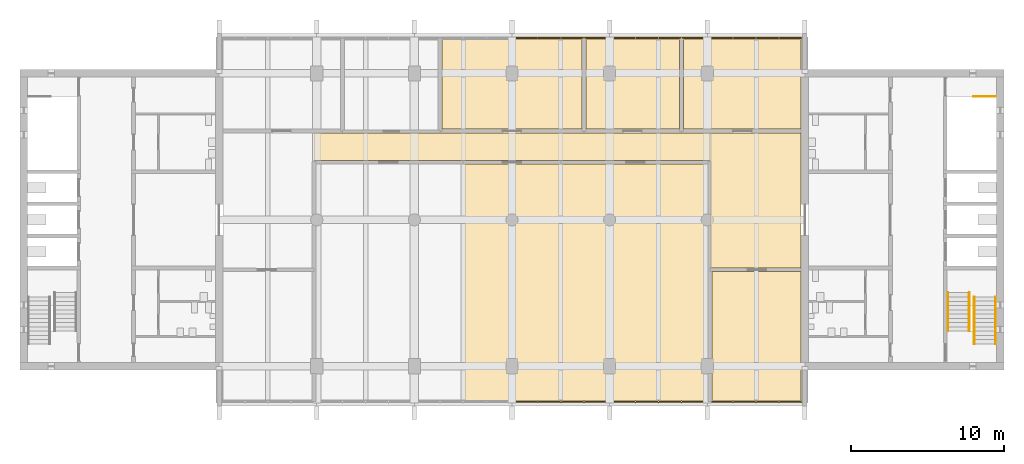
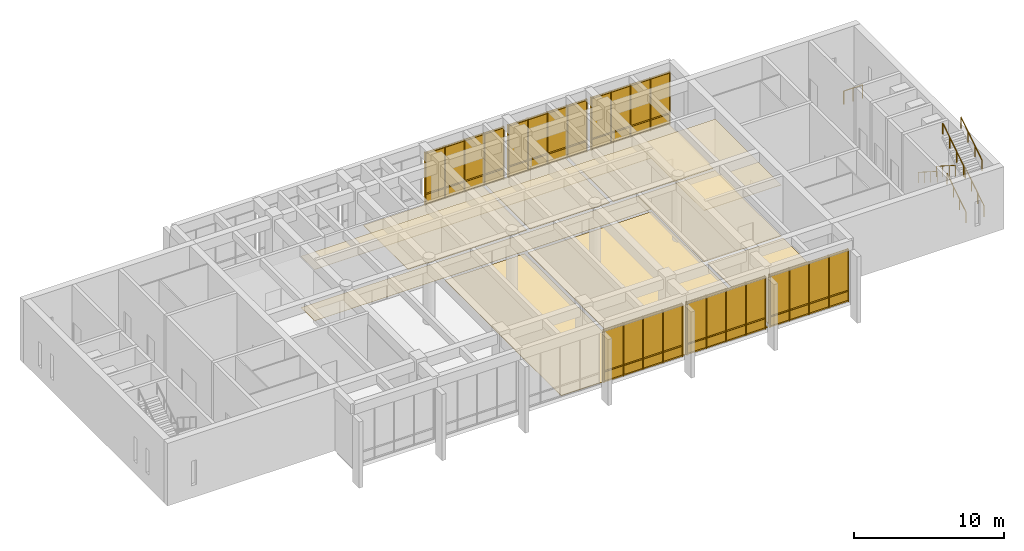
# One storey, part 9 of 10: 10 coverings, 7 railings, 6 shading devices.
"""IFC4 building model written with IfcOpenShell, lengths in metres."""

from ifc_helpers import new_model, si_unit, direction, frame, origin, origin_2d, place, context, subcontext, project, spatial, polyline, rectangle, circle, outline, extrude, material, layer, layer_set, type_object, element, save


model = new_model("IFC4")

# Units and contexts
model_context = context("Model", 3, precision=1e-05, world=origin(), true_north=direction((0.0, 1.0)))
body_context = subcontext(model_context, "Body", "Model", "MODEL_VIEW")
ifc_project = project(units=[si_unit("LENGTHUNIT", "METRE"), si_unit("AREAUNIT", "SQUARE_METRE"), si_unit("VOLUMEUNIT", "CUBIC_METRE"), si_unit("PLANEANGLEUNIT", "RADIAN"), si_unit("MASSUNIT", "GRAM", prefix="KILO")], contexts=[model_context])

# Site, building, storey
site_placement = place(None, origin())
site = spatial("IfcSite", under=ifc_project, at=site_placement, CompositionType="ELEMENT")
building_placement = place(site_placement, origin())
building = spatial("IfcBuilding", under=site, at=building_placement, Name="Fogon Plaza Fire Station and Headquarters Tower", CompositionType="ELEMENT")
storey_placement = place(building_placement, frame((0.0, 0.0, 64.199951171875)))
storey = spatial("IfcBuildingStorey", under=building, at=storey_placement, Name="L16", CompositionType="ELEMENT", Elevation=64.199951171875)

# Shading devices
ifc_material_1 = material(Name="Aluminium louvre", Category="aluminium")
ifc_layer_1 = layer(ifc_material_1, 0.10009765625)
ifc_layer_set_1 = layer_set([ifc_layer_1], Name="Aluminium louvre")
shading_device_type = type_object("IfcShadingDeviceType", Name="Louvred Screen Run 6100x4300", PredefinedType="JALOUSIE", material=ifc_layer_set_1)
shading_device_1_placement = place(storey_placement, frame((44.949951171875, 31.280029296875, 0.0), z_axis=(0.0, 0.0, 1.0), x_axis=(1.0, 0.0, 0.0)))
element("IfcShadingDevice", 1, at=shading_device_1_placement, inside=storey, type_object=shading_device_type, Name="LS-6100x4300 S4 L16", PredefinedType="JALOUSIE", context=body_context, shape_type="SweptSolid", body=[
    extrude(rectangle(XDim=0.06005859375, YDim=0.159912109375, at=origin_2d()), frame((0.030029296875, 0.0, 0.0), z_axis=(0.0, 0.0, 1.0), x_axis=(1.0, 0.0, 0.0)), (0.0, 0.0, 1.0), 4.300048828125),
    extrude(rectangle(XDim=0.06005859375, YDim=0.159912109375, at=origin_2d()), frame((1.5400390625, 0.0, 0.0), z_axis=(0.0, 0.0, 1.0), x_axis=(1.0, 0.0, 0.0)), (0.0, 0.0, 1.0), 4.300048828125),
    extrude(rectangle(XDim=0.06005859375, YDim=0.159912109375, at=origin_2d()), frame((3.050048828125, 0.0, 0.0), z_axis=(0.0, 0.0, 1.0), x_axis=(1.0, 0.0, 0.0)), (0.0, 0.0, 1.0), 4.300048828125),
    extrude(rectangle(XDim=0.06005859375, YDim=0.159912109375, at=origin_2d()), frame((4.56005859375, 0.0, 0.0), z_axis=(0.0, 0.0, 1.0), x_axis=(1.0, 0.0, 0.0)), (0.0, 0.0, 1.0), 4.300048828125),
    extrude(rectangle(XDim=0.06005859375, YDim=0.159912109375, at=origin_2d()), frame((6.070068359375, 0.0, 0.0), z_axis=(0.0, 0.0, 1.0), x_axis=(1.0, 0.0, 0.0)), (0.0, 0.0, 1.0), 4.300048828125),
    extrude(rectangle(XDim=0.1201171875, YDim=0.06005859375, at=origin_2d()), frame((0.0, 0.0, 0.06005859375), z_axis=(1.0, 0.0, 0.0), x_axis=(0.0, 0.0, 1.0)), (0.0, 0.0, 1.0), 6.10009765625),
    extrude(rectangle(XDim=0.1201171875, YDim=0.06005859375, at=origin_2d()), frame((0.0, 0.0, 0.900146484375), z_axis=(1.0, 0.0, 0.0), x_axis=(0.0, 0.0, 1.0)), (0.0, 0.0, 1.0), 6.10009765625),
    extrude(rectangle(XDim=0.1201171875, YDim=0.06005859375, at=origin_2d()), frame((0.0, 0.0, 4.239990234375), z_axis=(1.0, 0.0, 0.0), x_axis=(0.0, 0.0, 1.0)), (0.0, 0.0, 1.0), 6.10009765625),
    extrude(rectangle(XDim=1.449951171875, YDim=0.10009765625, at=origin_2d()), frame((0.78515625, 0.0, 0.1201171875), z_axis=(0.0, 0.0, 1.0), x_axis=(1.0, 0.0, 0.0)), (0.0, 0.0, 1.0), 0.719970703125),
    extrude(rectangle(XDim=1.449951171875, YDim=0.10009765625, at=origin_2d()), frame((0.78515625, 0.0, 0.9599609375), z_axis=(0.0, 0.0, 1.0), x_axis=(1.0, 0.0, 0.0)), (0.0, 0.0, 1.0), 3.219970703125),
    extrude(rectangle(XDim=1.449951171875, YDim=0.10009765625, at=origin_2d()), frame((2.294921875, 0.0, 0.1201171875), z_axis=(0.0, 0.0, 1.0), x_axis=(1.0, 0.0, 0.0)), (0.0, 0.0, 1.0), 0.719970703125),
    extrude(rectangle(XDim=1.449951171875, YDim=0.10009765625, at=origin_2d()), frame((2.294921875, 0.0, 0.9599609375), z_axis=(0.0, 0.0, 1.0), x_axis=(1.0, 0.0, 0.0)), (0.0, 0.0, 1.0), 3.219970703125),
    extrude(rectangle(XDim=1.449951171875, YDim=0.10009765625, at=origin_2d()), frame((3.80517578125, 0.0, 0.1201171875), z_axis=(0.0, 0.0, 1.0), x_axis=(1.0, 0.0, 0.0)), (0.0, 0.0, 1.0), 0.719970703125),
    extrude(rectangle(XDim=1.449951171875, YDim=0.10009765625, at=origin_2d()), frame((3.80517578125, 0.0, 0.9599609375), z_axis=(0.0, 0.0, 1.0), x_axis=(1.0, 0.0, 0.0)), (0.0, 0.0, 1.0), 3.219970703125),
    extrude(rectangle(XDim=1.449951171875, YDim=0.10009765625, at=origin_2d()), frame((5.31494140625, 0.0, 0.1201171875), z_axis=(0.0, 0.0, 1.0), x_axis=(1.0, 0.0, 0.0)), (0.0, 0.0, 1.0), 0.719970703125),
    extrude(rectangle(XDim=1.449951171875, YDim=0.10009765625, at=origin_2d()), frame((5.31494140625, 0.0, 0.9599609375), z_axis=(0.0, 0.0, 1.0), x_axis=(1.0, 0.0, 0.0)), (0.0, 0.0, 1.0), 3.219970703125),
])
shading_device_2_placement = place(storey_placement, frame((51.35009765625, 31.280029296875, 0.0), z_axis=(0.0, 0.0, 1.0), x_axis=(1.0, 0.0, 0.0)))
element("IfcShadingDevice", 2, at=shading_device_2_placement, inside=storey, type_object=shading_device_type, Name="LS-6100x4300 S5 L16", PredefinedType="JALOUSIE", context=body_context, shape_type="SweptSolid", body=[
    extrude(rectangle(XDim=0.06005859375, YDim=0.159912109375, at=origin_2d()), frame((0.030029296875, 0.0, 0.0), z_axis=(0.0, 0.0, 1.0), x_axis=(1.0, 0.0, 0.0)), (0.0, 0.0, 1.0), 4.300048828125),
    extrude(rectangle(XDim=0.06005859375, YDim=0.159912109375, at=origin_2d()), frame((1.5400390625, 0.0, 0.0), z_axis=(0.0, 0.0, 1.0), x_axis=(1.0, 0.0, 0.0)), (0.0, 0.0, 1.0), 4.300048828125),
    extrude(rectangle(XDim=0.06005859375, YDim=0.159912109375, at=origin_2d()), frame((3.050048828125, 0.0, 0.0), z_axis=(0.0, 0.0, 1.0), x_axis=(1.0, 0.0, 0.0)), (0.0, 0.0, 1.0), 4.300048828125),
    extrude(rectangle(XDim=0.06005859375, YDim=0.159912109375, at=origin_2d()), frame((4.56005859375, 0.0, 0.0), z_axis=(0.0, 0.0, 1.0), x_axis=(1.0, 0.0, 0.0)), (0.0, 0.0, 1.0), 4.300048828125),
    extrude(rectangle(XDim=0.06005859375, YDim=0.159912109375, at=origin_2d()), frame((6.070068359375, 0.0, 0.0), z_axis=(0.0, 0.0, 1.0), x_axis=(1.0, 0.0, 0.0)), (0.0, 0.0, 1.0), 4.300048828125),
    extrude(rectangle(XDim=0.1201171875, YDim=0.06005859375, at=origin_2d()), frame((0.0, 0.0, 0.06005859375), z_axis=(1.0, 0.0, 0.0), x_axis=(0.0, 0.0, 1.0)), (0.0, 0.0, 1.0), 6.099853515625),
    extrude(rectangle(XDim=0.1201171875, YDim=0.06005859375, at=origin_2d()), frame((0.0, 0.0, 0.900146484375), z_axis=(1.0, 0.0, 0.0), x_axis=(0.0, 0.0, 1.0)), (0.0, 0.0, 1.0), 6.099853515625),
    extrude(rectangle(XDim=0.1201171875, YDim=0.06005859375, at=origin_2d()), frame((0.0, 0.0, 4.239990234375), z_axis=(1.0, 0.0, 0.0), x_axis=(0.0, 0.0, 1.0)), (0.0, 0.0, 1.0), 6.099853515625),
    extrude(rectangle(XDim=1.449951171875, YDim=0.10009765625, at=origin_2d()), frame((0.78515625, 0.0, 0.1201171875), z_axis=(0.0, 0.0, 1.0), x_axis=(1.0, 0.0, 0.0)), (0.0, 0.0, 1.0), 0.719970703125),
    extrude(rectangle(XDim=1.449951171875, YDim=0.10009765625, at=origin_2d()), frame((0.78515625, 0.0, 0.9599609375), z_axis=(0.0, 0.0, 1.0), x_axis=(1.0, 0.0, 0.0)), (0.0, 0.0, 1.0), 3.219970703125),
    extrude(rectangle(XDim=1.449951171875, YDim=0.10009765625, at=origin_2d()), frame((2.294921875, 0.0, 0.1201171875), z_axis=(0.0, 0.0, 1.0), x_axis=(1.0, 0.0, 0.0)), (0.0, 0.0, 1.0), 0.719970703125),
    extrude(rectangle(XDim=1.449951171875, YDim=0.10009765625, at=origin_2d()), frame((2.294921875, 0.0, 0.9599609375), z_axis=(0.0, 0.0, 1.0), x_axis=(1.0, 0.0, 0.0)), (0.0, 0.0, 1.0), 3.219970703125),
    extrude(rectangle(XDim=1.449951171875, YDim=0.10009765625, at=origin_2d()), frame((3.80517578125, 0.0, 0.1201171875), z_axis=(0.0, 0.0, 1.0), x_axis=(1.0, 0.0, 0.0)), (0.0, 0.0, 1.0), 0.719970703125),
    extrude(rectangle(XDim=1.449951171875, YDim=0.10009765625, at=origin_2d()), frame((3.80517578125, 0.0, 0.9599609375), z_axis=(0.0, 0.0, 1.0), x_axis=(1.0, 0.0, 0.0)), (0.0, 0.0, 1.0), 3.219970703125),
    extrude(rectangle(XDim=1.449951171875, YDim=0.10009765625, at=origin_2d()), frame((5.31494140625, 0.0, 0.1201171875), z_axis=(0.0, 0.0, 1.0), x_axis=(1.0, 0.0, 0.0)), (0.0, 0.0, 1.0), 0.719970703125),
    extrude(rectangle(XDim=1.449951171875, YDim=0.10009765625, at=origin_2d()), frame((5.31494140625, 0.0, 0.9599609375), z_axis=(0.0, 0.0, 1.0), x_axis=(1.0, 0.0, 0.0)), (0.0, 0.0, 1.0), 3.219970703125),
])
shading_device_3_placement = place(storey_placement, frame((57.75, 31.280029296875, 0.0), z_axis=(0.0, 0.0, 1.0), x_axis=(1.0, 0.0, 0.0)))
element("IfcShadingDevice", 3, at=shading_device_3_placement, inside=storey, type_object=shading_device_type, Name="LS-6100x4300 S6 L16", PredefinedType="JALOUSIE", context=body_context, shape_type="SweptSolid", body=[
    extrude(rectangle(XDim=0.06005859375, YDim=0.159912109375, at=origin_2d()), frame((0.030029296875, 0.0, 0.0), z_axis=(0.0, 0.0, 1.0), x_axis=(1.0, 0.0, 0.0)), (0.0, 0.0, 1.0), 4.300048828125),
    extrude(rectangle(XDim=0.06005859375, YDim=0.159912109375, at=origin_2d()), frame((1.5400390625, 0.0, 0.0), z_axis=(0.0, 0.0, 1.0), x_axis=(1.0, 0.0, 0.0)), (0.0, 0.0, 1.0), 4.300048828125),
    extrude(rectangle(XDim=0.06005859375, YDim=0.159912109375, at=origin_2d()), frame((3.050048828125, 0.0, 0.0), z_axis=(0.0, 0.0, 1.0), x_axis=(1.0, 0.0, 0.0)), (0.0, 0.0, 1.0), 4.300048828125),
    extrude(rectangle(XDim=0.06005859375, YDim=0.159912109375, at=origin_2d()), frame((4.56005859375, 0.0, 0.0), z_axis=(0.0, 0.0, 1.0), x_axis=(1.0, 0.0, 0.0)), (0.0, 0.0, 1.0), 4.300048828125),
    extrude(rectangle(XDim=0.06005859375, YDim=0.159912109375, at=origin_2d()), frame((6.070068359375, 0.0, 0.0), z_axis=(0.0, 0.0, 1.0), x_axis=(1.0, 0.0, 0.0)), (0.0, 0.0, 1.0), 4.300048828125),
    extrude(rectangle(XDim=0.1201171875, YDim=0.06005859375, at=origin_2d()), frame((0.0, 0.0, 0.06005859375), z_axis=(1.0, 0.0, 0.0), x_axis=(0.0, 0.0, 1.0)), (0.0, 0.0, 1.0), 6.10009765625),
    extrude(rectangle(XDim=0.1201171875, YDim=0.06005859375, at=origin_2d()), frame((0.0, 0.0, 0.900146484375), z_axis=(1.0, 0.0, 0.0), x_axis=(0.0, 0.0, 1.0)), (0.0, 0.0, 1.0), 6.10009765625),
    extrude(rectangle(XDim=0.1201171875, YDim=0.06005859375, at=origin_2d()), frame((0.0, 0.0, 4.239990234375), z_axis=(1.0, 0.0, 0.0), x_axis=(0.0, 0.0, 1.0)), (0.0, 0.0, 1.0), 6.10009765625),
    extrude(rectangle(XDim=1.449951171875, YDim=0.10009765625, at=origin_2d()), frame((0.78515625, 0.0, 0.1201171875), z_axis=(0.0, 0.0, 1.0), x_axis=(1.0, 0.0, 0.0)), (0.0, 0.0, 1.0), 0.719970703125),
    extrude(rectangle(XDim=1.449951171875, YDim=0.10009765625, at=origin_2d()), frame((0.78515625, 0.0, 0.9599609375), z_axis=(0.0, 0.0, 1.0), x_axis=(1.0, 0.0, 0.0)), (0.0, 0.0, 1.0), 3.219970703125),
    extrude(rectangle(XDim=1.449951171875, YDim=0.10009765625, at=origin_2d()), frame((2.294921875, 0.0, 0.1201171875), z_axis=(0.0, 0.0, 1.0), x_axis=(1.0, 0.0, 0.0)), (0.0, 0.0, 1.0), 0.719970703125),
    extrude(rectangle(XDim=1.449951171875, YDim=0.10009765625, at=origin_2d()), frame((2.294921875, 0.0, 0.9599609375), z_axis=(0.0, 0.0, 1.0), x_axis=(1.0, 0.0, 0.0)), (0.0, 0.0, 1.0), 3.219970703125),
    extrude(rectangle(XDim=1.449951171875, YDim=0.10009765625, at=origin_2d()), frame((3.80517578125, 0.0, 0.1201171875), z_axis=(0.0, 0.0, 1.0), x_axis=(1.0, 0.0, 0.0)), (0.0, 0.0, 1.0), 0.719970703125),
    extrude(rectangle(XDim=1.449951171875, YDim=0.10009765625, at=origin_2d()), frame((3.80517578125, 0.0, 0.9599609375), z_axis=(0.0, 0.0, 1.0), x_axis=(1.0, 0.0, 0.0)), (0.0, 0.0, 1.0), 3.219970703125),
    extrude(rectangle(XDim=1.449951171875, YDim=0.10009765625, at=origin_2d()), frame((5.31494140625, 0.0, 0.1201171875), z_axis=(0.0, 0.0, 1.0), x_axis=(1.0, 0.0, 0.0)), (0.0, 0.0, 1.0), 0.719970703125),
    extrude(rectangle(XDim=1.449951171875, YDim=0.10009765625, at=origin_2d()), frame((5.31494140625, 0.0, 0.9599609375), z_axis=(0.0, 0.0, 1.0), x_axis=(1.0, 0.0, 0.0)), (0.0, 0.0, 1.0), 3.219970703125),
])
shading_device_4_placement = place(storey_placement, frame((44.949951171875, 55.1201171875, 0.0), z_axis=(0.0, 0.0, 1.0), x_axis=(1.0, 0.0, 0.0)))
element("IfcShadingDevice", 4, at=shading_device_4_placement, inside=storey, type_object=shading_device_type, Name="LS-6100x4300 N4 L16", PredefinedType="JALOUSIE", context=body_context, shape_type="SweptSolid", body=[
    extrude(rectangle(XDim=0.06005859375, YDim=0.159912109375, at=origin_2d()), frame((0.030029296875, 0.0, 0.0), z_axis=(0.0, 0.0, 1.0), x_axis=(1.0, 0.0, 0.0)), (0.0, 0.0, 1.0), 4.300048828125),
    extrude(rectangle(XDim=0.06005859375, YDim=0.159912109375, at=origin_2d()), frame((1.5400390625, 0.0, 0.0), z_axis=(0.0, 0.0, 1.0), x_axis=(1.0, 0.0, 0.0)), (0.0, 0.0, 1.0), 4.300048828125),
    extrude(rectangle(XDim=0.06005859375, YDim=0.159912109375, at=origin_2d()), frame((3.050048828125, 0.0, 0.0), z_axis=(0.0, 0.0, 1.0), x_axis=(1.0, 0.0, 0.0)), (0.0, 0.0, 1.0), 4.300048828125),
    extrude(rectangle(XDim=0.06005859375, YDim=0.159912109375, at=origin_2d()), frame((4.56005859375, 0.0, 0.0), z_axis=(0.0, 0.0, 1.0), x_axis=(1.0, 0.0, 0.0)), (0.0, 0.0, 1.0), 4.300048828125),
    extrude(rectangle(XDim=0.06005859375, YDim=0.159912109375, at=origin_2d()), frame((6.070068359375, 0.0, 0.0), z_axis=(0.0, 0.0, 1.0), x_axis=(1.0, 0.0, 0.0)), (0.0, 0.0, 1.0), 4.300048828125),
    extrude(rectangle(XDim=0.1201171875, YDim=0.06005859375, at=origin_2d()), frame((0.0, 0.0, 0.06005859375), z_axis=(1.0, 0.0, 0.0), x_axis=(0.0, 0.0, 1.0)), (0.0, 0.0, 1.0), 6.10009765625),
    extrude(rectangle(XDim=0.1201171875, YDim=0.06005859375, at=origin_2d()), frame((0.0, 0.0, 0.900146484375), z_axis=(1.0, 0.0, 0.0), x_axis=(0.0, 0.0, 1.0)), (0.0, 0.0, 1.0), 6.10009765625),
    extrude(rectangle(XDim=0.1201171875, YDim=0.06005859375, at=origin_2d()), frame((0.0, 0.0, 4.239990234375), z_axis=(1.0, 0.0, 0.0), x_axis=(0.0, 0.0, 1.0)), (0.0, 0.0, 1.0), 6.10009765625),
    extrude(rectangle(XDim=1.449951171875, YDim=0.10009765625, at=origin_2d()), frame((0.78515625, 0.0, 0.1201171875), z_axis=(0.0, 0.0, 1.0), x_axis=(1.0, 0.0, 0.0)), (0.0, 0.0, 1.0), 0.719970703125),
    extrude(rectangle(XDim=1.449951171875, YDim=0.10009765625, at=origin_2d()), frame((0.78515625, 0.0, 0.9599609375), z_axis=(0.0, 0.0, 1.0), x_axis=(1.0, 0.0, 0.0)), (0.0, 0.0, 1.0), 3.219970703125),
    extrude(rectangle(XDim=1.449951171875, YDim=0.10009765625, at=origin_2d()), frame((2.294921875, 0.0, 0.1201171875), z_axis=(0.0, 0.0, 1.0), x_axis=(1.0, 0.0, 0.0)), (0.0, 0.0, 1.0), 0.719970703125),
    extrude(rectangle(XDim=1.449951171875, YDim=0.10009765625, at=origin_2d()), frame((2.294921875, 0.0, 0.9599609375), z_axis=(0.0, 0.0, 1.0), x_axis=(1.0, 0.0, 0.0)), (0.0, 0.0, 1.0), 3.219970703125),
    extrude(rectangle(XDim=1.449951171875, YDim=0.10009765625, at=origin_2d()), frame((3.80517578125, 0.0, 0.1201171875), z_axis=(0.0, 0.0, 1.0), x_axis=(1.0, 0.0, 0.0)), (0.0, 0.0, 1.0), 0.719970703125),
    extrude(rectangle(XDim=1.449951171875, YDim=0.10009765625, at=origin_2d()), frame((3.80517578125, 0.0, 0.9599609375), z_axis=(0.0, 0.0, 1.0), x_axis=(1.0, 0.0, 0.0)), (0.0, 0.0, 1.0), 3.219970703125),
    extrude(rectangle(XDim=1.449951171875, YDim=0.10009765625, at=origin_2d()), frame((5.31494140625, 0.0, 0.1201171875), z_axis=(0.0, 0.0, 1.0), x_axis=(1.0, 0.0, 0.0)), (0.0, 0.0, 1.0), 0.719970703125),
    extrude(rectangle(XDim=1.449951171875, YDim=0.10009765625, at=origin_2d()), frame((5.31494140625, 0.0, 0.9599609375), z_axis=(0.0, 0.0, 1.0), x_axis=(1.0, 0.0, 0.0)), (0.0, 0.0, 1.0), 3.219970703125),
])
shading_device_5_placement = place(storey_placement, frame((51.35009765625, 55.1201171875, 0.0), z_axis=(0.0, 0.0, 1.0), x_axis=(1.0, 0.0, 0.0)))
element("IfcShadingDevice", 5, at=shading_device_5_placement, inside=storey, type_object=shading_device_type, Name="LS-6100x4300 N5 L16", PredefinedType="JALOUSIE", context=body_context, shape_type="SweptSolid", body=[
    extrude(rectangle(XDim=0.06005859375, YDim=0.159912109375, at=origin_2d()), frame((0.030029296875, 0.0, 0.0), z_axis=(0.0, 0.0, 1.0), x_axis=(1.0, 0.0, 0.0)), (0.0, 0.0, 1.0), 4.300048828125),
    extrude(rectangle(XDim=0.06005859375, YDim=0.159912109375, at=origin_2d()), frame((1.5400390625, 0.0, 0.0), z_axis=(0.0, 0.0, 1.0), x_axis=(1.0, 0.0, 0.0)), (0.0, 0.0, 1.0), 4.300048828125),
    extrude(rectangle(XDim=0.06005859375, YDim=0.159912109375, at=origin_2d()), frame((3.050048828125, 0.0, 0.0), z_axis=(0.0, 0.0, 1.0), x_axis=(1.0, 0.0, 0.0)), (0.0, 0.0, 1.0), 4.300048828125),
    extrude(rectangle(XDim=0.06005859375, YDim=0.159912109375, at=origin_2d()), frame((4.56005859375, 0.0, 0.0), z_axis=(0.0, 0.0, 1.0), x_axis=(1.0, 0.0, 0.0)), (0.0, 0.0, 1.0), 4.300048828125),
    extrude(rectangle(XDim=0.06005859375, YDim=0.159912109375, at=origin_2d()), frame((6.070068359375, 0.0, 0.0), z_axis=(0.0, 0.0, 1.0), x_axis=(1.0, 0.0, 0.0)), (0.0, 0.0, 1.0), 4.300048828125),
    extrude(rectangle(XDim=0.1201171875, YDim=0.06005859375, at=origin_2d()), frame((0.0, 0.0, 0.06005859375), z_axis=(1.0, 0.0, 0.0), x_axis=(0.0, 0.0, 1.0)), (0.0, 0.0, 1.0), 6.099853515625),
    extrude(rectangle(XDim=0.1201171875, YDim=0.06005859375, at=origin_2d()), frame((0.0, 0.0, 0.900146484375), z_axis=(1.0, 0.0, 0.0), x_axis=(0.0, 0.0, 1.0)), (0.0, 0.0, 1.0), 6.099853515625),
    extrude(rectangle(XDim=0.1201171875, YDim=0.06005859375, at=origin_2d()), frame((0.0, 0.0, 4.239990234375), z_axis=(1.0, 0.0, 0.0), x_axis=(0.0, 0.0, 1.0)), (0.0, 0.0, 1.0), 6.099853515625),
    extrude(rectangle(XDim=1.449951171875, YDim=0.10009765625, at=origin_2d()), frame((0.78515625, 0.0, 0.1201171875), z_axis=(0.0, 0.0, 1.0), x_axis=(1.0, 0.0, 0.0)), (0.0, 0.0, 1.0), 0.719970703125),
    extrude(rectangle(XDim=1.449951171875, YDim=0.10009765625, at=origin_2d()), frame((0.78515625, 0.0, 0.9599609375), z_axis=(0.0, 0.0, 1.0), x_axis=(1.0, 0.0, 0.0)), (0.0, 0.0, 1.0), 3.219970703125),
    extrude(rectangle(XDim=1.449951171875, YDim=0.10009765625, at=origin_2d()), frame((2.294921875, 0.0, 0.1201171875), z_axis=(0.0, 0.0, 1.0), x_axis=(1.0, 0.0, 0.0)), (0.0, 0.0, 1.0), 0.719970703125),
    extrude(rectangle(XDim=1.449951171875, YDim=0.10009765625, at=origin_2d()), frame((2.294921875, 0.0, 0.9599609375), z_axis=(0.0, 0.0, 1.0), x_axis=(1.0, 0.0, 0.0)), (0.0, 0.0, 1.0), 3.219970703125),
    extrude(rectangle(XDim=1.449951171875, YDim=0.10009765625, at=origin_2d()), frame((3.80517578125, 0.0, 0.1201171875), z_axis=(0.0, 0.0, 1.0), x_axis=(1.0, 0.0, 0.0)), (0.0, 0.0, 1.0), 0.719970703125),
    extrude(rectangle(XDim=1.449951171875, YDim=0.10009765625, at=origin_2d()), frame((3.80517578125, 0.0, 0.9599609375), z_axis=(0.0, 0.0, 1.0), x_axis=(1.0, 0.0, 0.0)), (0.0, 0.0, 1.0), 3.219970703125),
    extrude(rectangle(XDim=1.449951171875, YDim=0.10009765625, at=origin_2d()), frame((5.31494140625, 0.0, 0.1201171875), z_axis=(0.0, 0.0, 1.0), x_axis=(1.0, 0.0, 0.0)), (0.0, 0.0, 1.0), 0.719970703125),
    extrude(rectangle(XDim=1.449951171875, YDim=0.10009765625, at=origin_2d()), frame((5.31494140625, 0.0, 0.9599609375), z_axis=(0.0, 0.0, 1.0), x_axis=(1.0, 0.0, 0.0)), (0.0, 0.0, 1.0), 3.219970703125),
])
shading_device_6_placement = place(storey_placement, frame((57.75, 55.1201171875, 0.0), z_axis=(0.0, 0.0, 1.0), x_axis=(1.0, 0.0, 0.0)))
element("IfcShadingDevice", 6, at=shading_device_6_placement, inside=storey, type_object=shading_device_type, Name="LS-6100x4300 N6 L16", PredefinedType="JALOUSIE", context=body_context, shape_type="SweptSolid", body=[
    extrude(rectangle(XDim=0.06005859375, YDim=0.159912109375, at=origin_2d()), frame((0.030029296875, 0.0, 0.0), z_axis=(0.0, 0.0, 1.0), x_axis=(1.0, 0.0, 0.0)), (0.0, 0.0, 1.0), 4.300048828125),
    extrude(rectangle(XDim=0.06005859375, YDim=0.159912109375, at=origin_2d()), frame((1.5400390625, 0.0, 0.0), z_axis=(0.0, 0.0, 1.0), x_axis=(1.0, 0.0, 0.0)), (0.0, 0.0, 1.0), 4.300048828125),
    extrude(rectangle(XDim=0.06005859375, YDim=0.159912109375, at=origin_2d()), frame((3.050048828125, 0.0, 0.0), z_axis=(0.0, 0.0, 1.0), x_axis=(1.0, 0.0, 0.0)), (0.0, 0.0, 1.0), 4.300048828125),
    extrude(rectangle(XDim=0.06005859375, YDim=0.159912109375, at=origin_2d()), frame((4.56005859375, 0.0, 0.0), z_axis=(0.0, 0.0, 1.0), x_axis=(1.0, 0.0, 0.0)), (0.0, 0.0, 1.0), 4.300048828125),
    extrude(rectangle(XDim=0.06005859375, YDim=0.159912109375, at=origin_2d()), frame((6.070068359375, 0.0, 0.0), z_axis=(0.0, 0.0, 1.0), x_axis=(1.0, 0.0, 0.0)), (0.0, 0.0, 1.0), 4.300048828125),
    extrude(rectangle(XDim=0.1201171875, YDim=0.06005859375, at=origin_2d()), frame((0.0, 0.0, 0.06005859375), z_axis=(1.0, 0.0, 0.0), x_axis=(0.0, 0.0, 1.0)), (0.0, 0.0, 1.0), 6.10009765625),
    extrude(rectangle(XDim=0.1201171875, YDim=0.06005859375, at=origin_2d()), frame((0.0, 0.0, 0.900146484375), z_axis=(1.0, 0.0, 0.0), x_axis=(0.0, 0.0, 1.0)), (0.0, 0.0, 1.0), 6.10009765625),
    extrude(rectangle(XDim=0.1201171875, YDim=0.06005859375, at=origin_2d()), frame((0.0, 0.0, 4.239990234375), z_axis=(1.0, 0.0, 0.0), x_axis=(0.0, 0.0, 1.0)), (0.0, 0.0, 1.0), 6.10009765625),
    extrude(rectangle(XDim=1.449951171875, YDim=0.10009765625, at=origin_2d()), frame((0.78515625, 0.0, 0.1201171875), z_axis=(0.0, 0.0, 1.0), x_axis=(1.0, 0.0, 0.0)), (0.0, 0.0, 1.0), 0.719970703125),
    extrude(rectangle(XDim=1.449951171875, YDim=0.10009765625, at=origin_2d()), frame((0.78515625, 0.0, 0.9599609375), z_axis=(0.0, 0.0, 1.0), x_axis=(1.0, 0.0, 0.0)), (0.0, 0.0, 1.0), 3.219970703125),
    extrude(rectangle(XDim=1.449951171875, YDim=0.10009765625, at=origin_2d()), frame((2.294921875, 0.0, 0.1201171875), z_axis=(0.0, 0.0, 1.0), x_axis=(1.0, 0.0, 0.0)), (0.0, 0.0, 1.0), 0.719970703125),
    extrude(rectangle(XDim=1.449951171875, YDim=0.10009765625, at=origin_2d()), frame((2.294921875, 0.0, 0.9599609375), z_axis=(0.0, 0.0, 1.0), x_axis=(1.0, 0.0, 0.0)), (0.0, 0.0, 1.0), 3.219970703125),
    extrude(rectangle(XDim=1.449951171875, YDim=0.10009765625, at=origin_2d()), frame((3.80517578125, 0.0, 0.1201171875), z_axis=(0.0, 0.0, 1.0), x_axis=(1.0, 0.0, 0.0)), (0.0, 0.0, 1.0), 0.719970703125),
    extrude(rectangle(XDim=1.449951171875, YDim=0.10009765625, at=origin_2d()), frame((3.80517578125, 0.0, 0.9599609375), z_axis=(0.0, 0.0, 1.0), x_axis=(1.0, 0.0, 0.0)), (0.0, 0.0, 1.0), 3.219970703125),
    extrude(rectangle(XDim=1.449951171875, YDim=0.10009765625, at=origin_2d()), frame((5.31494140625, 0.0, 0.1201171875), z_axis=(0.0, 0.0, 1.0), x_axis=(1.0, 0.0, 0.0)), (0.0, 0.0, 1.0), 0.719970703125),
    extrude(rectangle(XDim=1.449951171875, YDim=0.10009765625, at=origin_2d()), frame((5.31494140625, 0.0, 0.9599609375), z_axis=(0.0, 0.0, 1.0), x_axis=(1.0, 0.0, 0.0)), (0.0, 0.0, 1.0), 3.219970703125),
])

# Railings
ifc_material_2 = material(Name="Steel", Category="steel")
railing_type_1 = type_object("IfcRailingType", Name="Stair Guard 1100", PredefinedType="GUARDRAIL", material=ifc_material_2)
railing_placement = place(storey_placement, frame((76.5, 51.2900390625, 0.0)))
element("IfcRailing", 7, at=railing_placement, inside=storey, type_object=railing_type_1, Name="Guard ST4", PredefinedType="GUARDRAIL", context=body_context, shape_type="SweptSolid", body=[
    extrude(circle(Radius=0.02392578125, at=origin_2d()), frame((0.0, 0.0, 1.076171875), z_axis=(-1.0, 0.0, 0.0), x_axis=(0.0, -1.0, 0.0)), (0.0, 0.0, 1.0), 1.449951171875),
    extrude(circle(Radius=0.02099609375, at=origin_2d()), origin(), (0.0, 0.0, 1.0), 1.052001953125),
    extrude(circle(Radius=0.02099609375, at=origin_2d()), frame((-0.72509765625, 0.0, 0.0)), (0.0, 0.0, 1.0), 1.052001953125),
    extrude(circle(Radius=0.02099609375, at=origin_2d()), frame((-1.449951171875, 0.0, 0.0)), (0.0, 0.0, 1.0), 1.052001953125),
])
ifc_material_3 = material(Name="Steel", Category="steel")
railing_type_2 = type_object("IfcRailingType", Name="Stair Handrail 900", PredefinedType="HANDRAIL", material=ifc_material_3)
for number, where, name in (
    (8, (76.5, 35.06005859375, 0.178466796875), "Handrail ST3"),
    (9, (75.10009765625, 35.06005859375, 0.178466796875), "Handrail ST3"),
):
    element("IfcRailing", number, at=place(storey_placement, frame(where)), inside=storey, type_object=railing_type_2, Name=name, PredefinedType="HANDRAIL", context=body_context, shape_type="SweptSolid", body=[
        extrude(circle(Radius=0.02392578125, at=origin_2d()), frame((0.0, 0.0, 0.8759765625), z_axis=(0.0, 0.843385493151, 0.53730895204), x_axis=(-1.0, 0.0, 0.0)), (0.0, 0.0, 1.0), 2.988037109375),
        extrude(circle(Radius=0.02099609375, at=origin_2d()), origin(), (0.0, 0.0, 1.0), 0.851806640625),
        extrude(circle(Radius=0.02099609375, at=origin_2d()), frame((0.0, 0.840087890625, 0.53515625)), (0.0, 0.0, 1.0), 0.851806640625),
        extrude(circle(Radius=0.02099609375, at=origin_2d()), frame((0.0, 1.679931640625, 1.0703125)), (0.0, 0.0, 1.0), 0.851806640625),
        extrude(circle(Radius=0.02099609375, at=origin_2d()), frame((0.0, 2.52001953125, 1.60546875)), (0.0, 0.0, 1.0), 0.851806640625),
    ])
for number, where, name in (
    (10, (73.375, 38.425048828125, 1.96240234375), "Handrail ST3"),
    (11, (74.77490234375, 38.425048828125, 1.96240234375), "Handrail ST3"),
):
    element("IfcRailing", number, at=place(storey_placement, frame(where)), inside=storey, type_object=railing_type_2, Name=name, PredefinedType="HANDRAIL", context=body_context, shape_type="SweptSolid", body=[
        extrude(circle(Radius=0.02392578125, at=origin_2d()), frame((0.0, 0.0, 0.8759765625), z_axis=(0.0, -0.843385493151, 0.53730895204), x_axis=(1.0, 0.0, 0.0)), (0.0, 0.0, 1.0), 2.988037109375),
        extrude(circle(Radius=0.02099609375, at=origin_2d()), origin(), (0.0, 0.0, 1.0), 0.851806640625),
        extrude(circle(Radius=0.02099609375, at=origin_2d()), frame((0.0, -0.840087890625, 0.53515625)), (0.0, 0.0, 1.0), 0.851806640625),
        extrude(circle(Radius=0.02099609375, at=origin_2d()), frame((0.0, -1.679931640625, 1.0703125)), (0.0, 0.0, 1.0), 0.851806640625),
        extrude(circle(Radius=0.02099609375, at=origin_2d()), frame((0.0, -2.52001953125, 1.60546875)), (0.0, 0.0, 1.0), 0.851806640625),
    ])
for number, where, name in (
    (12, (76.5, 35.35009765625, 3.74609375), "Handrail ST3"),
    (13, (75.10009765625, 35.35009765625, 3.74609375), "Handrail ST3"),
):
    element("IfcRailing", number, at=place(storey_placement, frame(where)), inside=storey, type_object=railing_type_2, Name=name, PredefinedType="HANDRAIL", context=body_context, shape_type="SweptSolid", body=[
        extrude(circle(Radius=0.02392578125, at=origin_2d()), frame((0.0, 0.0, 0.8759765625), z_axis=(0.0, 0.843355511396, 0.537356009921), x_axis=(-1.0, 0.0, 0.0)), (0.0, 0.0, 1.0), 3.31982421875),
        extrude(circle(Radius=0.02099609375, at=origin_2d()), origin(), (0.0, 0.0, 1.0), 0.851806640625),
        extrude(circle(Radius=0.02099609375, at=origin_2d()), frame((0.0, 0.933349609375, 0.5947265625)), (0.0, 0.0, 1.0), 0.851806640625),
        extrude(circle(Radius=0.02099609375, at=origin_2d()), frame((0.0, 1.866455078125, 1.189208984375)), (0.0, 0.0, 1.0), 0.851806640625),
        extrude(circle(Radius=0.02099609375, at=origin_2d()), frame((0.0, 2.7998046875, 1.783935546875)), (0.0, 0.0, 1.0), 0.851806640625),
    ])

# Coverings
ifc_material_4 = material(Name="Heavy duty carpet tile")
ifc_layer_2 = layer(ifc_material_4, 0.013916015625)
ifc_layer_set_2 = layer_set([ifc_layer_2], Name="Heavy duty carpet tile")
covering_type_1 = type_object("IfcCoveringType", Name="Tower corridor carpet floor", PredefinedType="FLOORING", material=ifc_layer_set_2)
covering_1_placement = place(storey_placement, origin())
element("IfcCovering", 14, at=covering_1_placement, inside=storey, type_object=covering_type_1, Name="cov-fl-L16-11", PredefinedType="FLOORING", context=body_context, shape_type="SweptSolid", body=[
    extrude(outline(polyline([(57.780029296875, 47.10009765625), (57.780029296875, 48.89990234375), (31.820068359375, 48.89990234375), (31.820068359375, 47.10009765625), (57.780029296875, 47.10009765625)])), origin(), (0.0, 0.0, 1.0), 0.01416015625),
])
covering_2_placement = place(storey_placement, origin())
element("IfcCovering", 15, at=covering_2_placement, inside=storey, type_object=covering_type_1, Name="cov-fl-L16-13", PredefinedType="FLOORING", context=body_context, shape_type="SweptSolid", body=[
    extrude(outline(polyline([(63.75, 40.050048828125), (63.75, 48.89990234375), (57.780029296875, 48.89990234375), (57.780029296875, 40.050048828125), (63.75, 40.050048828125)])), origin(), (0.0, 0.0, 1.0), 0.01416015625),
])
ifc_material_5 = material(Name="Plasterboard ceiling")
ifc_layer_3 = layer(ifc_material_5, 0.030029296875)
ifc_layer_set_3 = layer_set([ifc_layer_3], Name="Plasterboard ceiling")
covering_type_2 = type_object("IfcCoveringType", Name="Tower plasterboard ceiling", PredefinedType="CEILING", material=ifc_layer_set_3)
covering_3_placement = place(storey_placement, frame((0.0, 0.0, 4.170166015625)))
element("IfcCovering", 16, at=covering_3_placement, inside=storey, type_object=covering_type_2, Name="cov-cl-L16-11", PredefinedType="CEILING", context=body_context, shape_type="SweptSolid", body=[
    extrude(outline(polyline([(57.780029296875, 47.10009765625), (57.780029296875, 48.89990234375), (31.820068359375, 48.89990234375), (31.820068359375, 47.10009765625), (57.780029296875, 47.10009765625)])), origin(), (0.0, 0.0, 1.0), 0.02978515625),
])
covering_4_placement = place(storey_placement, frame((0.0, 0.0, 4.170166015625)))
element("IfcCovering", 17, at=covering_4_placement, inside=storey, type_object=covering_type_2, Name="cov-cl-L16-13", PredefinedType="CEILING", context=body_context, shape_type="SweptSolid", body=[
    extrude(outline(polyline([(63.75, 40.050048828125), (63.75, 48.89990234375), (57.780029296875, 48.89990234375), (57.780029296875, 40.050048828125), (63.75, 40.050048828125)])), origin(), (0.0, 0.0, 1.0), 0.02978515625),
])
ifc_material_6 = material(Name="Sealed cement screed")
ifc_layer_4 = layer(ifc_material_6, 0.030029296875)
ifc_layer_set_4 = layer_set([ifc_layer_4], Name="Sealed cement screed")
covering_type_3 = type_object("IfcCoveringType", Name="Tower sealed screed floor", PredefinedType="FLOORING", material=ifc_layer_set_4)
covering_5_placement = place(storey_placement, origin())
element("IfcCovering", 18, at=covering_5_placement, inside=storey, type_object=covering_type_3, Name="cov-fl-L16-02", PredefinedType="FLOORING", context=body_context, shape_type="SweptSolid", body=[
    extrude(outline(polyline([(47.875, 31.300048828125), (47.875, 46.85009765625), (41.72509765625, 46.85009765625), (41.72509765625, 31.300048828125), (47.875, 31.300048828125)])), origin(), (0.0, 0.0, 1.0), 0.030029296875),
])
covering_6_placement = place(storey_placement, origin())
element("IfcCovering", 19, at=covering_6_placement, inside=storey, type_object=covering_type_3, Name="cov-fl-L16-03", PredefinedType="FLOORING", context=body_context, shape_type="SweptSolid", body=[
    extrude(outline(polyline([(57.655029296875, 31.300048828125), (57.655029296875, 46.85009765625), (48.125, 46.85009765625), (48.125, 31.300048828125), (57.655029296875, 31.300048828125)])), origin(), (0.0, 0.0, 1.0), 0.030029296875),
])
covering_7_placement = place(storey_placement, origin())
element("IfcCovering", 20, at=covering_7_placement, inside=storey, type_object=covering_type_3, Name="cov-fl-L16-06", PredefinedType="FLOORING", context=body_context, shape_type="SweptSolid", body=[
    extrude(outline(polyline([(49.385009765625, 49.14990234375), (49.385009765625, 55.10009765625), (40.215087890625, 55.10009765625), (40.215087890625, 49.14990234375), (49.385009765625, 49.14990234375)])), origin(), (0.0, 0.0, 1.0), 0.030029296875),
])
covering_8_placement = place(storey_placement, origin())
element("IfcCovering", 21, at=covering_8_placement, inside=storey, type_object=covering_type_3, Name="cov-fl-L16-07", PredefinedType="FLOORING", context=body_context, shape_type="SweptSolid", body=[
    extrude(outline(polyline([(55.784912109375, 49.14990234375), (55.784912109375, 55.10009765625), (49.635009765625, 55.10009765625), (49.635009765625, 49.14990234375), (55.784912109375, 49.14990234375)])), origin(), (0.0, 0.0, 1.0), 0.030029296875),
])
covering_9_placement = place(storey_placement, origin())
element("IfcCovering", 22, at=covering_9_placement, inside=storey, type_object=covering_type_3, Name="cov-fl-L16-08", PredefinedType="FLOORING", context=body_context, shape_type="SweptSolid", body=[
    extrude(outline(polyline([(63.75, 49.14990234375), (63.75, 55.10009765625), (56.034912109375, 55.10009765625), (56.034912109375, 49.14990234375), (63.75, 49.14990234375)])), origin(), (0.0, 0.0, 1.0), 0.030029296875),
])
covering_10_placement = place(storey_placement, origin())
element("IfcCovering", 23, at=covering_10_placement, inside=storey, type_object=covering_type_3, Name="cov-fl-L16-10", PredefinedType="FLOORING", context=body_context, shape_type="SweptSolid", body=[
    extrude(outline(polyline([(63.75, 31.300048828125), (63.75, 39.800048828125), (57.905029296875, 39.800048828125), (57.905029296875, 31.300048828125), (63.75, 31.300048828125)])), origin(), (0.0, 0.0, 1.0), 0.030029296875),
])

save(model, "model.ifc")
